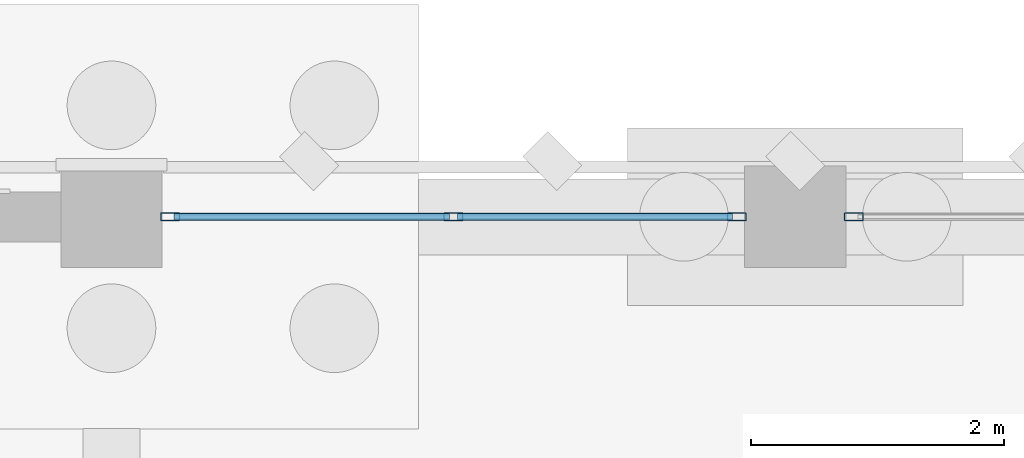
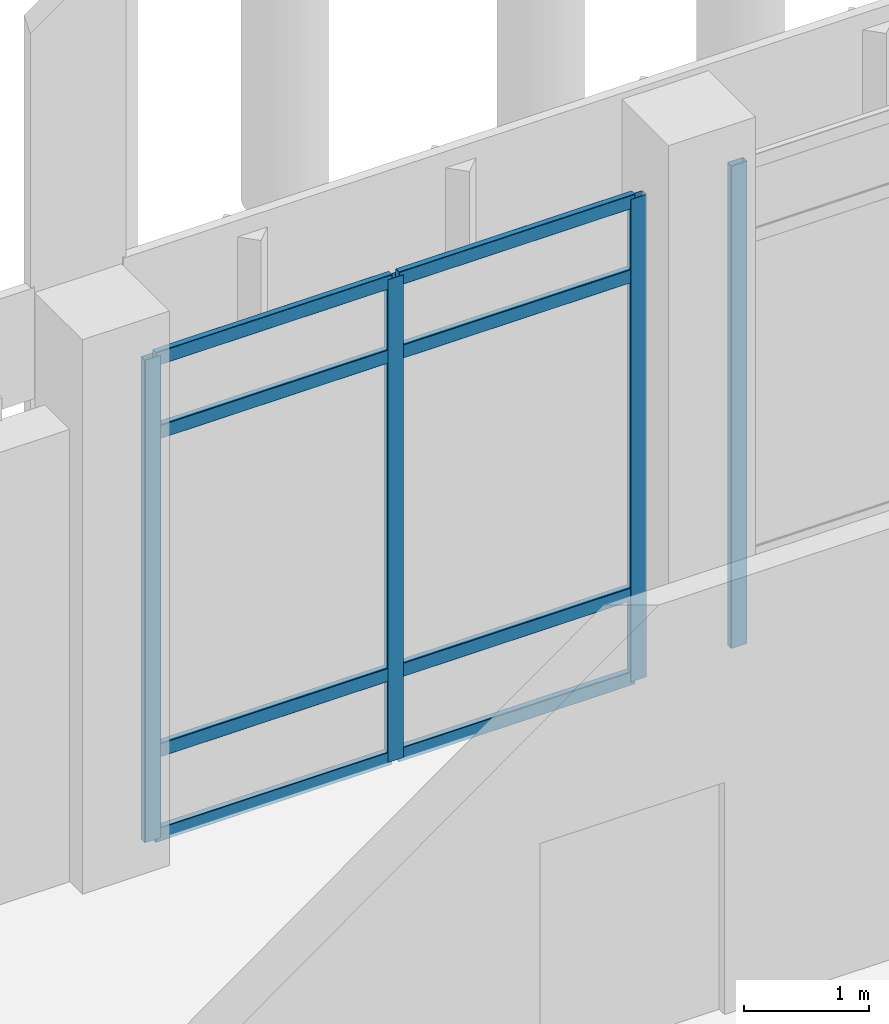
# One storey, part 31 of 109: 12 members, 2 elements without a shape of their own.
"""IFC4 building model written with IfcOpenShell, lengths in metres."""

import ifcopenshell
import ifcopenshell.guid

model = None  # the IFC model being written
_history = None  # IfcOwnerHistory: only IFC2X3 demands one
_inside = {}  # id of a spatial element -> (the spatial element, [elements in it])
_under = {}  # id of a project, library or spatial element -> (it, [spatial elements below it])
_declared = {}  # id of a project -> (the project, [libraries it declares])
_typed = {}  # id of a type object -> (the type object, [elements of that type])
_made_of = {}  # id of a material, layer set ... -> (it, [elements and type objects made of it])


def new_model(schema):
    """Start an empty IFC model of exactly this schema.

    Asked for "IFC4X3", IfcOpenShell would pick the latest addendum, in which some entities
    have other attributes; the version numbers below select the first issue.
    IFC2X3 requires an IfcOwnerHistory on every rooted entity: one is made here for all.
    """
    global model, _history
    if schema == "IFC4X3":
        model = ifcopenshell.file(schema_version=(4, 3, 0, 0))
    else:
        model = ifcopenshell.file(schema=schema)
    _inside.clear()
    _under.clear()
    _declared.clear()
    _typed.clear()
    _made_of.clear()
    _history = None
    if model.schema == "IFC2X3":
        org = make("IfcOrganization", Name="unknown")
        user = make(
            "IfcPersonAndOrganization",
            ThePerson=make("IfcPerson", FamilyName="unknown"),
            TheOrganization=org,
        )
        app = make(
            "IfcApplication",
            ApplicationDeveloper=org,
            Version="unknown",
            ApplicationFullName="unknown",
            ApplicationIdentifier="unknown",
        )
        _history = make(
            "IfcOwnerHistory",
            OwningUser=user,
            OwningApplication=app,
            ChangeAction="ADDED",
            CreationDate=0,
        )
    return model


def make(cls, **values):
    """One entity of the class cls with the attributes given. An attribute that is None is left unset."""
    return model.create_entity(
        cls, **{name: value for name, value in values.items() if value is not None}
    )


def rooted(cls, **values):
    """An entity with a GlobalId (a new one), such as an element, a storey or a relation."""
    return make(cls, GlobalId=ifcopenshell.guid.new(), OwnerHistory=_history, **values)


def si_unit(unit_type, name, prefix=None):
    """IfcSIUnit, for example si_unit("LENGTHUNIT", "METRE", prefix="MILLI")."""
    return make("IfcSIUnit", UnitType=unit_type, Prefix=prefix, Name=name)


def assignment(units):
    """IfcUnitAssignment: the units of a project."""
    return None if units is None else make("IfcUnitAssignment", Units=units)


def point(xyz):
    """IfcCartesianPoint."""
    return None if xyz is None else make("IfcCartesianPoint", Coordinates=xyz)


def direction(xyz):
    """IfcDirection."""
    return None if xyz is None else make("IfcDirection", DirectionRatios=xyz)


def frame(location, z_axis=None, x_axis=None):
    """IfcAxis2Placement3D, a coordinate frame: its origin and axes. An axis left out is left unset."""
    return make(
        "IfcAxis2Placement3D",
        Location=point(location),
        Axis=direction(z_axis),
        RefDirection=direction(x_axis),
    )


def frame_2d(location, x_axis=None):
    """IfcAxis2Placement2D, a coordinate frame in the plane: its origin and x axis."""
    return make(
        "IfcAxis2Placement2D", Location=point(location), RefDirection=direction(x_axis)
    )


def origin():
    """The frame at (0, 0, 0) with its axes left unset."""
    return frame((0.0, 0.0, 0.0))


def origin_2d():
    """The frame at (0, 0) in the plane with its x axis left unset."""
    return frame_2d((0.0, 0.0))


def place(relative_to, where):
    """IfcLocalPlacement: puts the frame where relative to a parent placement (None: the world)."""
    return make(
        "IfcLocalPlacement", PlacementRelTo=relative_to, RelativePlacement=where
    )


def context(
    kind, dimensions, precision=None, world=None, true_north=None, identifier=None
):
    """IfcGeometricRepresentationContext, for example the 3D "Model" context."""
    return make(
        "IfcGeometricRepresentationContext",
        ContextIdentifier=identifier,
        ContextType=kind,
        CoordinateSpaceDimension=dimensions,
        Precision=precision,
        WorldCoordinateSystem=world,
        TrueNorth=true_north,
    )


def subcontext(parent, identifier, kind, view, scale=None):
    """IfcGeometricRepresentationSubContext, for example "Body" below "Model"."""
    return make(
        "IfcGeometricRepresentationSubContext",
        ContextIdentifier=identifier,
        ContextType=kind,
        ParentContext=parent,
        TargetScale=scale,
        TargetView=view,
    )


def project(units=None, contexts=None):
    """IfcProject with its units and contexts."""
    return rooted(
        "IfcProject",
        Name="project",
        RepresentationContexts=contexts,
        UnitsInContext=assignment(units),
    )


def spatial(cls, under=None, at=None, **own):
    """A site, building, storey or space (cls), placed at a placement, below another one or the project."""
    s = rooted(cls, ObjectPlacement=at, **own)
    if under is not None:
        _under.setdefault(under.id(), (under, []))[1].append(s)
    return s


def profile(cls, at=None, kind="AREA", **sizes):
    """A parametric profile (cls). Its sizes go by their IFC names, for example OverallWidth=200.0."""
    return make(cls, ProfileType=kind, Position=at, **sizes)


def hollow_rectangle(**sizes):
    """IfcRectangleHollowProfileDef."""
    return profile("IfcRectangleHollowProfileDef", **sizes)


def extrude(swept, where, along, depth):
    """IfcExtrudedAreaSolid: the profile swept, set in the frame where, extruded along a direction by depth."""
    return make(
        "IfcExtrudedAreaSolid",
        SweptArea=swept,
        Position=where,
        ExtrudedDirection=direction(along),
        Depth=depth,
    )


def shape(context_of_items, identifier, shape_type, items):
    """IfcShapeRepresentation: the items that make up one representation, for example the "Body"."""
    return make(
        "IfcShapeRepresentation",
        ContextOfItems=context_of_items,
        RepresentationIdentifier=identifier,
        RepresentationType=shape_type,
        Items=items,
    )


def material(Name=None, Category=None):
    """IfcMaterial."""
    return make("IfcMaterial", Name=Name, Category=Category)


def material_profile(
    of_material, cross_section, Name=None, Category=None, Priority=None
):
    """IfcMaterialProfile: a cross section and its material."""
    return make(
        "IfcMaterialProfile",
        Name=Name,
        Material=of_material,
        Profile=cross_section,
        Priority=Priority,
        Category=Category,
    )


def profile_set(profiles, Name=None, composite=None):
    """IfcMaterialProfileSet."""
    return make(
        "IfcMaterialProfileSet",
        Name=Name,
        MaterialProfiles=profiles,
        CompositeProfile=composite,
    )


def made_of(thing, what):
    """Note that an element or type object is made of a material, layer set ...; save() writes the relation."""
    if what is not None:
        _made_of.setdefault(what.id(), (what, []))[1].append(thing)
    return thing


def type_object(cls, material=None, **own):
    """A type object (cls), such as IfcWallType, which elements share."""
    return made_of(rooted(cls, **own), material)


def element(
    cls,
    number,
    at=None,
    inside=None,
    cuts=None,
    type_object=None,
    material=None,
    context=None,
    identifier="Body",
    shape_type=None,
    held_by="IfcProductDefinitionShape",
    body=None,
    shapes=None,
    **own,
):
    """One element of the class cls, such as IfcWall. Its Tag is "e" and its number.

    at: its placement. inside: the storey or other place that contains it. cuts: it is an
    opening in that element (IfcRelVoidsElement). A single representation is given by context,
    identifier, shape_type and body (its items); several are given by shapes. held_by: the class
    of the entity that holds the representations. save() writes the other relations.
    """
    e = rooted(cls, Tag="e%d" % number, ObjectPlacement=at, **own)
    if body is not None:
        shapes = [shape(context, identifier, shape_type, body)]
    if shapes is not None:
        e.Representation = make(held_by, Representations=shapes)
    if inside is not None:
        _inside.setdefault(inside.id(), (inside, []))[1].append(e)
    if cuts is not None:
        rooted(
            "IfcRelVoidsElement", RelatingBuildingElement=cuts, RelatedOpeningElement=e
        )
    if type_object is not None:
        _typed.setdefault(type_object.id(), (type_object, []))[1].append(e)
    return made_of(e, material)


def aggregate(whole, parts):
    """IfcRelAggregates: a whole, such as a stair, and the parts it consists of."""
    return rooted("IfcRelAggregates", RelatingObject=whole, RelatedObjects=parts)


def save(model, path):
    """Write the relations noted so far, then the file.

    IfcRelAggregates (storeys below a building ...), IfcRelContainedInSpatialStructure (elements
    in a storey), IfcRelDefinesByType, IfcRelAssociatesMaterial and IfcRelDeclares: one each for
    every whole, place, type object, material and project.
    """
    for whole, parts in _under.values():
        aggregate(whole, parts)
    for where, things in _inside.values():
        rooted(
            "IfcRelContainedInSpatialStructure",
            RelatedElements=things,
            RelatingStructure=where,
        )
    for kind, things in _typed.values():
        rooted("IfcRelDefinesByType", RelatedObjects=things, RelatingType=kind)
    for what, things in _made_of.values():
        rooted("IfcRelAssociatesMaterial", RelatedObjects=things, RelatingMaterial=what)
    for by, libraries in _declared.values():
        rooted("IfcRelDeclares", RelatingContext=by, RelatedDefinitions=libraries)
    model.write(path)


model = new_model("IFC4")

# Units and contexts
model_context = context("Model", 3, precision=1e-05, world=origin(), true_north=direction((0.0, 1.0)))
body_context = subcontext(model_context, "Body", "Model", "MODEL_VIEW")
ifc_project = project(units=[si_unit("LENGTHUNIT", "METRE"), si_unit("AREAUNIT", "SQUARE_METRE"), si_unit("VOLUMEUNIT", "CUBIC_METRE"), si_unit("PLANEANGLEUNIT", "RADIAN"), si_unit("MASSUNIT", "GRAM", prefix="KILO")], contexts=[model_context])

# Site, building, storey
site_placement = place(None, origin())
site = spatial("IfcSite", under=ifc_project, at=site_placement, CompositionType="ELEMENT")
building_placement = place(site_placement, origin())
building = spatial("IfcBuilding", under=site, at=building_placement, Name="Lusvemor Sports Hall", CompositionType="ELEMENT")
storey_placement = place(building_placement, origin())
storey = spatial("IfcBuildingStorey", under=building, at=storey_placement, Name="L00", CompositionType="ELEMENT", Elevation=0.0)

# Curtain wall, members
ifc_material_1 = material(Name="Thermally broken bronze-anodized aluminium", Category="aluminium")
curtain_wall_type = type_object("IfcCurtainWallType", Name="CW_COURT_C", PredefinedType="NOTDEFINED", material=ifc_material_1)
curtain_wall_1_placement = place(storey_placement, origin())
curtain_wall_1 = element("IfcCurtainWall", 1, at=curtain_wall_1_placement, inside=storey, type_object=curtain_wall_type, Name="Curtain Wall CW-V1N-L00-5-A", PredefinedType="NOTDEFINED")
ifc_material_2 = material(Name="Thermally broken bronze-anodized aluminium", Category="aluminium")
ifc_material_profile_1 = material_profile(ifc_material_2, hollow_rectangle(XDim=0.06494140625, YDim=0.14990234375, WallThickness=0.00390625, InnerFilletRadius=0.00390625, OuterFilletRadius=0.008056640625, at=origin_2d()), Name="CWMUL150x65x4")
ifc_profile_set_1 = profile_set([ifc_material_profile_1], Name="Thermally broken bronze-anodized aluminium")
member_type_1 = type_object("IfcMemberType", Name="CW_MUL_B", PredefinedType="MULLION", material=ifc_profile_set_1)
member_1_placement = place(storey_placement, frame((54.46240234375, 46.800048828125, 0.0), z_axis=(0.0, 0.0, 1.0), x_axis=(0.0, 1.0, 0.0)))
member_1 = element("IfcMember", 2, at=member_1_placement, type_object=member_type_1, Name="CW03 mullion 1", PredefinedType="MULLION", context=body_context, shape_type="SweptSolid", body=[
    extrude(hollow_rectangle(XDim=0.06494140625, YDim=0.14990234375, WallThickness=0.00390625, InnerFilletRadius=0.00390625, OuterFilletRadius=0.008056640625, at=origin_2d()), origin(), (0.0, 0.0, 1.0), 4.699951171875),
])
member_2_placement = place(storey_placement, frame((56.699951171875, 46.800048828125, 0.0), z_axis=(0.0, 0.0, 1.0), x_axis=(0.0, 1.0, 0.0)))
member_2 = element("IfcMember", 3, at=member_2_placement, type_object=member_type_1, Name="CW03 mullion 2", PredefinedType="MULLION", context=body_context, shape_type="SweptSolid", body=[
    extrude(hollow_rectangle(XDim=0.06494140625, YDim=0.14990234375, WallThickness=0.00390625, InnerFilletRadius=0.00390625, OuterFilletRadius=0.008056640625, at=origin_2d()), origin(), (0.0, 0.0, 1.0), 4.699951171875),
])
member_3_placement = place(storey_placement, frame((58.9375, 46.800048828125, 0.0), z_axis=(0.0, 0.0, 1.0), x_axis=(0.0, 1.0, 0.0)))
member_3 = element("IfcMember", 4, at=member_3_placement, type_object=member_type_1, Name="CW03 mullion 3", PredefinedType="MULLION", context=body_context, shape_type="SweptSolid", body=[
    extrude(hollow_rectangle(XDim=0.06494140625, YDim=0.14990234375, WallThickness=0.00390625, InnerFilletRadius=0.00390625, OuterFilletRadius=0.008056640625, at=origin_2d()), origin(), (0.0, 0.0, 1.0), 4.699951171875),
])

# Curtain wall, member
curtain_wall_2_placement = place(storey_placement, origin())
curtain_wall_2 = element("IfcCurtainWall", 5, at=curtain_wall_2_placement, inside=storey, type_object=curtain_wall_type, Name="Curtain Wall CW-V1N-L00-5-B", PredefinedType="NOTDEFINED")
member_4_placement = place(storey_placement, frame((59.862548828125, 46.800048828125, 0.0), z_axis=(0.0, 0.0, 1.0), x_axis=(0.0, 1.0, 0.0)))
member_4 = element("IfcMember", 6, at=member_4_placement, type_object=member_type_1, Name="CW03 mullion 1", PredefinedType="MULLION", context=body_context, shape_type="SweptSolid", body=[
    extrude(hollow_rectangle(XDim=0.06494140625, YDim=0.14990234375, WallThickness=0.00390625, InnerFilletRadius=0.00390625, OuterFilletRadius=0.008056640625, at=origin_2d()), origin(), (0.0, 0.0, 1.0), 4.699951171875),
])
aggregate(curtain_wall_2, [member_4])

# Member
ifc_material_3 = material(Name="Thermally broken bronze-anodized aluminium", Category="aluminium")
ifc_material_profile_2 = material_profile(ifc_material_3, hollow_rectangle(XDim=0.06005859375, YDim=0.135009765625, WallThickness=0.00390625, InnerFilletRadius=0.00390625, OuterFilletRadius=0.008056640625, at=origin_2d()), Name="CWTRN135x60x4")
ifc_profile_set_2 = profile_set([ifc_material_profile_2], Name="Thermally broken bronze-anodized aluminium")
member_type_2 = type_object("IfcMemberType", Name="CW_TRN_B", PredefinedType="USERDEFINED", material=ifc_profile_set_2)
member_5_placement = place(storey_placement, frame((54.4951171875, 46.800048828125, 0.030029296875), z_axis=(1.0, 0.0, 0.0), x_axis=(0.0, 1.0, 0.0)))
member_5 = element("IfcMember", 7, at=member_5_placement, type_object=member_type_2, Name="CW03 transom 1.1", ObjectType="TRANSOM", PredefinedType="USERDEFINED", context=body_context, shape_type="SweptSolid", body=[
    extrude(hollow_rectangle(XDim=0.06005859375, YDim=0.135009765625, WallThickness=0.00390625, InnerFilletRadius=0.00390625, OuterFilletRadius=0.008056640625, at=origin_2d()), origin(), (0.0, 0.0, 1.0), 2.17236328125),
])

member_6_placement = place(storey_placement, frame((54.4951171875, 46.800048828125, 0.85009765625), z_axis=(1.0, 0.0, 0.0), x_axis=(0.0, 1.0, 0.0)))
member_6 = element("IfcMember", 8, at=member_6_placement, type_object=member_type_2, Name="CW03 transom 1.2", ObjectType="TRANSOM", PredefinedType="USERDEFINED", context=body_context, shape_type="SweptSolid", body=[
    extrude(hollow_rectangle(XDim=0.06005859375, YDim=0.135009765625, WallThickness=0.00390625, InnerFilletRadius=0.00390625, OuterFilletRadius=0.008056640625, at=origin_2d()), origin(), (0.0, 0.0, 1.0), 2.17236328125),
])

member_7_placement = place(storey_placement, frame((54.4951171875, 46.800048828125, 3.949951171875), z_axis=(1.0, 0.0, 0.0), x_axis=(0.0, 1.0, 0.0)))
member_7 = element("IfcMember", 9, at=member_7_placement, type_object=member_type_2, Name="CW03 transom 1.3", ObjectType="TRANSOM", PredefinedType="USERDEFINED", context=body_context, shape_type="SweptSolid", body=[
    extrude(hollow_rectangle(XDim=0.06005859375, YDim=0.135009765625, WallThickness=0.00390625, InnerFilletRadius=0.00390625, OuterFilletRadius=0.008056640625, at=origin_2d()), origin(), (0.0, 0.0, 1.0), 2.17236328125),
])

member_8_placement = place(storey_placement, frame((54.4951171875, 46.800048828125, 4.669921875), z_axis=(1.0, 0.0, 0.0), x_axis=(0.0, 1.0, 0.0)))
member_8 = element("IfcMember", 10, at=member_8_placement, type_object=member_type_2, Name="CW03 transom 1.4", ObjectType="TRANSOM", PredefinedType="USERDEFINED", context=body_context, shape_type="SweptSolid", body=[
    extrude(hollow_rectangle(XDim=0.06005859375, YDim=0.135009765625, WallThickness=0.00390625, InnerFilletRadius=0.00390625, OuterFilletRadius=0.008056640625, at=origin_2d()), origin(), (0.0, 0.0, 1.0), 2.17236328125),
])

member_9_placement = place(storey_placement, frame((56.732421875, 46.800048828125, 0.030029296875), z_axis=(1.0, 0.0, 0.0), x_axis=(0.0, 1.0, 0.0)))
member_9 = element("IfcMember", 11, at=member_9_placement, type_object=member_type_2, Name="CW03 transom 2.1", ObjectType="TRANSOM", PredefinedType="USERDEFINED", context=body_context, shape_type="SweptSolid", body=[
    extrude(hollow_rectangle(XDim=0.06005859375, YDim=0.135009765625, WallThickness=0.00390625, InnerFilletRadius=0.00390625, OuterFilletRadius=0.008056640625, at=origin_2d()), origin(), (0.0, 0.0, 1.0), 2.172607421875),
])

member_10_placement = place(storey_placement, frame((56.732421875, 46.800048828125, 0.85009765625), z_axis=(1.0, 0.0, 0.0), x_axis=(0.0, 1.0, 0.0)))
member_10 = element("IfcMember", 12, at=member_10_placement, type_object=member_type_2, Name="CW03 transom 2.2", ObjectType="TRANSOM", PredefinedType="USERDEFINED", context=body_context, shape_type="SweptSolid", body=[
    extrude(hollow_rectangle(XDim=0.06005859375, YDim=0.135009765625, WallThickness=0.00390625, InnerFilletRadius=0.00390625, OuterFilletRadius=0.008056640625, at=origin_2d()), origin(), (0.0, 0.0, 1.0), 2.172607421875),
])

member_11_placement = place(storey_placement, frame((56.732421875, 46.800048828125, 3.949951171875), z_axis=(1.0, 0.0, 0.0), x_axis=(0.0, 1.0, 0.0)))
member_11 = element("IfcMember", 13, at=member_11_placement, type_object=member_type_2, Name="CW03 transom 2.3", ObjectType="TRANSOM", PredefinedType="USERDEFINED", context=body_context, shape_type="SweptSolid", body=[
    extrude(hollow_rectangle(XDim=0.06005859375, YDim=0.135009765625, WallThickness=0.00390625, InnerFilletRadius=0.00390625, OuterFilletRadius=0.008056640625, at=origin_2d()), origin(), (0.0, 0.0, 1.0), 2.172607421875),
])

member_12_placement = place(storey_placement, frame((56.732421875, 46.800048828125, 4.669921875), z_axis=(1.0, 0.0, 0.0), x_axis=(0.0, 1.0, 0.0)))
member_12 = element("IfcMember", 14, at=member_12_placement, type_object=member_type_2, Name="CW03 transom 2.4", ObjectType="TRANSOM", PredefinedType="USERDEFINED", context=body_context, shape_type="SweptSolid", body=[
    extrude(hollow_rectangle(XDim=0.06005859375, YDim=0.135009765625, WallThickness=0.00390625, InnerFilletRadius=0.00390625, OuterFilletRadius=0.008056640625, at=origin_2d()), origin(), (0.0, 0.0, 1.0), 2.172607421875),
])

aggregate(curtain_wall_1, [member_1, member_2, member_3, member_5, member_6, member_7, member_8, member_9, member_10, member_11, member_12])

save(model, "model.ifc")
